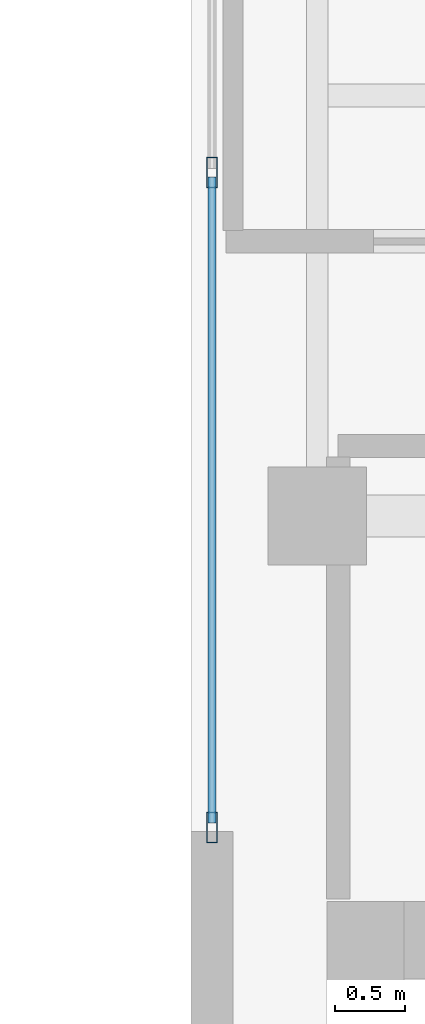
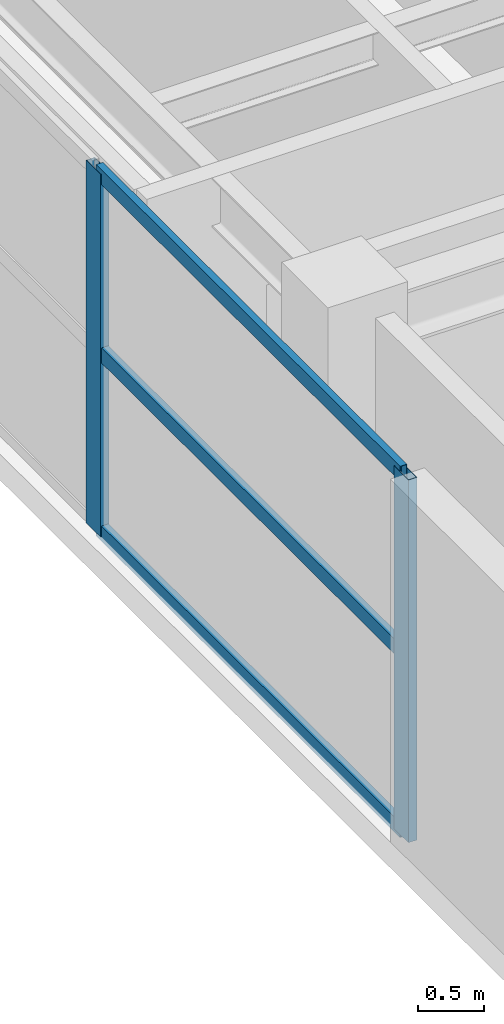
# One storey, part 9 of 23: 5 members, 1 element without a shape of its own.
"""IFC4 building model written with IfcOpenShell, lengths in metres."""

import ifcopenshell
import ifcopenshell.guid

model = None  # the IFC model being written
_history = None  # IfcOwnerHistory: only IFC2X3 demands one
_inside = {}  # id of a spatial element -> (the spatial element, [elements in it])
_under = {}  # id of a project, library or spatial element -> (it, [spatial elements below it])
_declared = {}  # id of a project -> (the project, [libraries it declares])
_typed = {}  # id of a type object -> (the type object, [elements of that type])
_made_of = {}  # id of a material, layer set ... -> (it, [elements and type objects made of it])


def new_model(schema):
    """Start an empty IFC model of exactly this schema.

    Asked for "IFC4X3", IfcOpenShell would pick the latest addendum, in which some entities
    have other attributes; the version numbers below select the first issue.
    IFC2X3 requires an IfcOwnerHistory on every rooted entity: one is made here for all.
    """
    global model, _history
    if schema == "IFC4X3":
        model = ifcopenshell.file(schema_version=(4, 3, 0, 0))
    else:
        model = ifcopenshell.file(schema=schema)
    _inside.clear()
    _under.clear()
    _declared.clear()
    _typed.clear()
    _made_of.clear()
    _history = None
    if model.schema == "IFC2X3":
        org = make("IfcOrganization", Name="unknown")
        user = make(
            "IfcPersonAndOrganization",
            ThePerson=make("IfcPerson", FamilyName="unknown"),
            TheOrganization=org,
        )
        app = make(
            "IfcApplication",
            ApplicationDeveloper=org,
            Version="unknown",
            ApplicationFullName="unknown",
            ApplicationIdentifier="unknown",
        )
        _history = make(
            "IfcOwnerHistory",
            OwningUser=user,
            OwningApplication=app,
            ChangeAction="ADDED",
            CreationDate=0,
        )
    return model


def make(cls, **values):
    """One entity of the class cls with the attributes given. An attribute that is None is left unset."""
    return model.create_entity(
        cls, **{name: value for name, value in values.items() if value is not None}
    )


def rooted(cls, **values):
    """An entity with a GlobalId (a new one), such as an element, a storey or a relation."""
    return make(cls, GlobalId=ifcopenshell.guid.new(), OwnerHistory=_history, **values)


def si_unit(unit_type, name, prefix=None):
    """IfcSIUnit, for example si_unit("LENGTHUNIT", "METRE", prefix="MILLI")."""
    return make("IfcSIUnit", UnitType=unit_type, Prefix=prefix, Name=name)


def assignment(units):
    """IfcUnitAssignment: the units of a project."""
    return None if units is None else make("IfcUnitAssignment", Units=units)


def point(xyz):
    """IfcCartesianPoint."""
    return None if xyz is None else make("IfcCartesianPoint", Coordinates=xyz)


def direction(xyz):
    """IfcDirection."""
    return None if xyz is None else make("IfcDirection", DirectionRatios=xyz)


def frame(location, z_axis=None, x_axis=None):
    """IfcAxis2Placement3D, a coordinate frame: its origin and axes. An axis left out is left unset."""
    return make(
        "IfcAxis2Placement3D",
        Location=point(location),
        Axis=direction(z_axis),
        RefDirection=direction(x_axis),
    )


def frame_2d(location, x_axis=None):
    """IfcAxis2Placement2D, a coordinate frame in the plane: its origin and x axis."""
    return make(
        "IfcAxis2Placement2D", Location=point(location), RefDirection=direction(x_axis)
    )


def origin():
    """The frame at (0, 0, 0) with its axes left unset."""
    return frame((0.0, 0.0, 0.0))


def origin_2d():
    """The frame at (0, 0) in the plane with its x axis left unset."""
    return frame_2d((0.0, 0.0))


def place(relative_to, where):
    """IfcLocalPlacement: puts the frame where relative to a parent placement (None: the world)."""
    return make(
        "IfcLocalPlacement", PlacementRelTo=relative_to, RelativePlacement=where
    )


def context(
    kind, dimensions, precision=None, world=None, true_north=None, identifier=None
):
    """IfcGeometricRepresentationContext, for example the 3D "Model" context."""
    return make(
        "IfcGeometricRepresentationContext",
        ContextIdentifier=identifier,
        ContextType=kind,
        CoordinateSpaceDimension=dimensions,
        Precision=precision,
        WorldCoordinateSystem=world,
        TrueNorth=true_north,
    )


def subcontext(parent, identifier, kind, view, scale=None):
    """IfcGeometricRepresentationSubContext, for example "Body" below "Model"."""
    return make(
        "IfcGeometricRepresentationSubContext",
        ContextIdentifier=identifier,
        ContextType=kind,
        ParentContext=parent,
        TargetScale=scale,
        TargetView=view,
    )


def project(units=None, contexts=None):
    """IfcProject with its units and contexts."""
    return rooted(
        "IfcProject",
        Name="project",
        RepresentationContexts=contexts,
        UnitsInContext=assignment(units),
    )


def spatial(cls, under=None, at=None, **own):
    """A site, building, storey or space (cls), placed at a placement, below another one or the project."""
    s = rooted(cls, ObjectPlacement=at, **own)
    if under is not None:
        _under.setdefault(under.id(), (under, []))[1].append(s)
    return s


def profile(cls, at=None, kind="AREA", **sizes):
    """A parametric profile (cls). Its sizes go by their IFC names, for example OverallWidth=200.0."""
    return make(cls, ProfileType=kind, Position=at, **sizes)


def hollow_rectangle(**sizes):
    """IfcRectangleHollowProfileDef."""
    return profile("IfcRectangleHollowProfileDef", **sizes)


def extrude(swept, where, along, depth):
    """IfcExtrudedAreaSolid: the profile swept, set in the frame where, extruded along a direction by depth."""
    return make(
        "IfcExtrudedAreaSolid",
        SweptArea=swept,
        Position=where,
        ExtrudedDirection=direction(along),
        Depth=depth,
    )


def shape(context_of_items, identifier, shape_type, items):
    """IfcShapeRepresentation: the items that make up one representation, for example the "Body"."""
    return make(
        "IfcShapeRepresentation",
        ContextOfItems=context_of_items,
        RepresentationIdentifier=identifier,
        RepresentationType=shape_type,
        Items=items,
    )


def source(mapping_origin, context_of_items, identifier, shape_type, items):
    """IfcRepresentationMap: a shape defined once, which mapped items show again and again."""
    return make(
        "IfcRepresentationMap",
        MappingOrigin=mapping_origin,
        MappedRepresentation=shape(context_of_items, identifier, shape_type, items),
    )


def transform(
    local_origin,
    x_axis=None,
    y_axis=None,
    z_axis=None,
    scale=None,
    scale2=None,
    scale3=None,
    uniform=True,
):
    """IfcCartesianTransformationOperator3D, or its non-uniform kind. x_axis, y_axis, z_axis: its Axis1, 2, 3."""
    if uniform:
        return make(
            "IfcCartesianTransformationOperator3D",
            Axis1=direction(x_axis),
            Axis2=direction(y_axis),
            LocalOrigin=point(local_origin),
            Scale=scale,
            Axis3=direction(z_axis),
        )
    return make(
        "IfcCartesianTransformationOperator3DnonUniform",
        Axis1=direction(x_axis),
        Axis2=direction(y_axis),
        LocalOrigin=point(local_origin),
        Scale=scale,
        Axis3=direction(z_axis),
        Scale2=scale2,
        Scale3=scale3,
    )


def mapped(mapping_source, mapping_target):
    """IfcMappedItem: shows the shape of a source again, moved by a transform."""
    return make(
        "IfcMappedItem", MappingSource=mapping_source, MappingTarget=mapping_target
    )


def material(Name=None, Category=None):
    """IfcMaterial."""
    return make("IfcMaterial", Name=Name, Category=Category)


def layer(
    of_material, thickness, ventilated=None, Name=None, Category=None, Priority=None
):
    """IfcMaterialLayer: one layer of a wall or slab, of a material (None: an air gap)."""
    return make(
        "IfcMaterialLayer",
        Material=of_material,
        LayerThickness=thickness,
        IsVentilated=ventilated,
        Name=Name,
        Category=Category,
        Priority=Priority,
    )


def layer_set(layers, Name=None):
    """IfcMaterialLayerSet."""
    return make("IfcMaterialLayerSet", MaterialLayers=layers, LayerSetName=Name)


def material_profile(
    of_material, cross_section, Name=None, Category=None, Priority=None
):
    """IfcMaterialProfile: a cross section and its material."""
    return make(
        "IfcMaterialProfile",
        Name=Name,
        Material=of_material,
        Profile=cross_section,
        Priority=Priority,
        Category=Category,
    )


def profile_set(profiles, Name=None, composite=None):
    """IfcMaterialProfileSet."""
    return make(
        "IfcMaterialProfileSet",
        Name=Name,
        MaterialProfiles=profiles,
        CompositeProfile=composite,
    )


def made_of(thing, what):
    """Note that an element or type object is made of a material, layer set ...; save() writes the relation."""
    if what is not None:
        _made_of.setdefault(what.id(), (what, []))[1].append(thing)
    return thing


def type_object(cls, material=None, **own):
    """A type object (cls), such as IfcWallType, which elements share."""
    return made_of(rooted(cls, **own), material)


def element(
    cls,
    number,
    at=None,
    inside=None,
    cuts=None,
    type_object=None,
    material=None,
    context=None,
    identifier="Body",
    shape_type=None,
    held_by="IfcProductDefinitionShape",
    body=None,
    shapes=None,
    **own,
):
    """One element of the class cls, such as IfcWall. Its Tag is "e" and its number.

    at: its placement. inside: the storey or other place that contains it. cuts: it is an
    opening in that element (IfcRelVoidsElement). A single representation is given by context,
    identifier, shape_type and body (its items); several are given by shapes. held_by: the class
    of the entity that holds the representations. save() writes the other relations.
    """
    e = rooted(cls, Tag="e%d" % number, ObjectPlacement=at, **own)
    if body is not None:
        shapes = [shape(context, identifier, shape_type, body)]
    if shapes is not None:
        e.Representation = make(held_by, Representations=shapes)
    if inside is not None:
        _inside.setdefault(inside.id(), (inside, []))[1].append(e)
    if cuts is not None:
        rooted(
            "IfcRelVoidsElement", RelatingBuildingElement=cuts, RelatedOpeningElement=e
        )
    if type_object is not None:
        _typed.setdefault(type_object.id(), (type_object, []))[1].append(e)
    return made_of(e, material)


def aggregate(whole, parts):
    """IfcRelAggregates: a whole, such as a stair, and the parts it consists of."""
    return rooted("IfcRelAggregates", RelatingObject=whole, RelatedObjects=parts)


def save(model, path):
    """Write the relations noted so far, then the file.

    IfcRelAggregates (storeys below a building ...), IfcRelContainedInSpatialStructure (elements
    in a storey), IfcRelDefinesByType, IfcRelAssociatesMaterial and IfcRelDeclares: one each for
    every whole, place, type object, material and project.
    """
    for whole, parts in _under.values():
        aggregate(whole, parts)
    for where, things in _inside.values():
        rooted(
            "IfcRelContainedInSpatialStructure",
            RelatedElements=things,
            RelatingStructure=where,
        )
    for kind, things in _typed.values():
        rooted("IfcRelDefinesByType", RelatedObjects=things, RelatingType=kind)
    for what, things in _made_of.values():
        rooted("IfcRelAssociatesMaterial", RelatedObjects=things, RelatingMaterial=what)
    for by, libraries in _declared.values():
        rooted("IfcRelDeclares", RelatingContext=by, RelatedDefinitions=libraries)
    model.write(path)


model = new_model("IFC4")

# Units and contexts
model_context = context("Model", 3, precision=1e-05, world=origin(), true_north=direction((0.0, 1.0)))
body_context = subcontext(model_context, "Body", "Model", "MODEL_VIEW")
ifc_project = project(units=[si_unit("LENGTHUNIT", "METRE"), si_unit("AREAUNIT", "SQUARE_METRE"), si_unit("VOLUMEUNIT", "CUBIC_METRE"), si_unit("PLANEANGLEUNIT", "RADIAN"), si_unit("MASSUNIT", "GRAM", prefix="KILO")], contexts=[model_context])

# Site, building, storey
site_placement = place(None, origin())
site = spatial("IfcSite", under=ifc_project, at=site_placement, CompositionType="ELEMENT")
building_placement = place(site_placement, origin())
building = spatial("IfcBuilding", under=site, at=building_placement, Name="Khoralis Quay Care Tower", CompositionType="ELEMENT")
storey_placement = place(building_placement, frame((0.0, 0.0, 245.699951171875)))
storey = spatial("IfcBuildingStorey", under=building, at=storey_placement, Name="L64", CompositionType="ELEMENT", Elevation=245.699951171875)

# Curtain wall, members
ifc_material = material(Name="Pale anodised aluminium", Category="aluminium")
ifc_layer = layer(ifc_material, 0.18994140625)
ifc_layer_set = layer_set([ifc_layer], Name="Pale anodised aluminium")
curtain_wall_type = type_object("IfcCurtainWallType", Name="CW-SYS-PORTAL", PredefinedType="NOTDEFINED", material=ifc_layer_set)
curtain_wall_placement = place(storey_placement, origin())
curtain_wall = element("IfcCurtainWall", 1, at=curtain_wall_placement, inside=storey, type_object=curtain_wall_type, Name="L64 Unitised Curtain Wall CW-VP-L64-P2-N", PredefinedType="NOTDEFINED")
ifc_material_profile_1 = material_profile(ifc_material, hollow_rectangle(XDim=0.06005859375, YDim=0.139892578125, WallThickness=0.00390625, at=origin_2d()), Name="Pale anodised aluminium")
ifc_profile_set_1 = profile_set([ifc_material_profile_1], Name="Pale anodised aluminium")
member_type_1 = type_object("IfcMemberType", Name="CW-TRN-140", PredefinedType="USERDEFINED", material=ifc_profile_set_1)
shared_shape_1 = source(origin(), body_context, "Body", "SweptSolid", [
    extrude(hollow_rectangle(XDim=0.06005859375, YDim=0.139892578125, WallThickness=0.00390625, at=origin_2d()), origin(), (0.0, 0.0, 1.0), 4.60986328125),
])
member_1_placement = place(storey_placement, frame((30.14990234375, 27.81005859375, 0.030029296875), z_axis=(0.0, 1.0, 0.0), x_axis=(-1.0, 0.0, 0.0)))
member_1 = element("IfcMember", 2, at=member_1_placement, type_object=member_type_1, Name="CW4 transom 1.1", ObjectType="TRANSOM", PredefinedType="USERDEFINED", context=body_context, shape_type="MappedRepresentation", body=[
    mapped(shared_shape_1, transform((0.0, 0.0, 0.0), scale=1.0)),
])
member_2_placement = place(storey_placement, frame((30.14990234375, 27.81005859375, 1.679931640625), z_axis=(0.0, 1.0, 0.0), x_axis=(-1.0, 0.0, 0.0)))
member_2 = element("IfcMember", 3, at=member_2_placement, type_object=member_type_1, Name="CW4 transom 1.2", ObjectType="TRANSOM", PredefinedType="USERDEFINED", context=body_context, shape_type="MappedRepresentation", body=[
    mapped(shared_shape_1, transform((0.0, 0.0, 0.0), scale=1.0)),
])
member_3_placement = place(storey_placement, frame((30.14990234375, 27.81005859375, 3.330078125), z_axis=(0.0, 1.0, 0.0), x_axis=(-1.0, 0.0, 0.0)))
member_3 = element("IfcMember", 4, at=member_3_placement, type_object=member_type_1, Name="CW4 transom 1.3", ObjectType="TRANSOM", PredefinedType="USERDEFINED", context=body_context, shape_type="MappedRepresentation", body=[
    mapped(shared_shape_1, transform((0.0, 0.0, 0.0), scale=1.0)),
])
ifc_material_profile_2 = material_profile(ifc_material, hollow_rectangle(XDim=0.074951171875, YDim=0.219970703125, WallThickness=0.00390625, at=origin_2d()), Name="Pale anodised aluminium")
ifc_profile_set_2 = profile_set([ifc_material_profile_2], Name="Pale anodised aluminium")
member_type_2 = type_object("IfcMemberType", Name="CW-MUL-220", PredefinedType="MULLION", material=ifc_profile_set_2)
shared_shape_2 = source(origin(), body_context, "Body", "SweptSolid", [
    extrude(hollow_rectangle(XDim=0.074951171875, YDim=0.219970703125, WallThickness=0.00390625, at=origin_2d()), origin(), (0.0, 0.0, 1.0), 3.360107421875),
])
member_4_placement = place(storey_placement, frame((30.14990234375, 27.780029296875, 0.0), z_axis=(0.0, 0.0, 1.0), x_axis=(-1.0, 0.0, 0.0)))
member_4 = element("IfcMember", 5, at=member_4_placement, type_object=member_type_2, Name="CW4 mullion 1", PredefinedType="MULLION", context=body_context, shape_type="MappedRepresentation", body=[
    mapped(shared_shape_2, transform((0.0, 0.0, 0.0), scale=1.0)),
])
member_5_placement = place(storey_placement, frame((30.14990234375, 32.449951171875, 0.0), z_axis=(0.0, 0.0, 1.0), x_axis=(-1.0, 0.0, 0.0)))
member_5 = element("IfcMember", 6, at=member_5_placement, type_object=member_type_2, Name="CW4 mullion 2", PredefinedType="MULLION", context=body_context, shape_type="MappedRepresentation", body=[
    mapped(shared_shape_2, transform((0.0, 0.0, 0.0), scale=1.0)),
])
aggregate(curtain_wall, [member_4, member_5, member_1, member_2, member_3])

save(model, "model.ifc")
